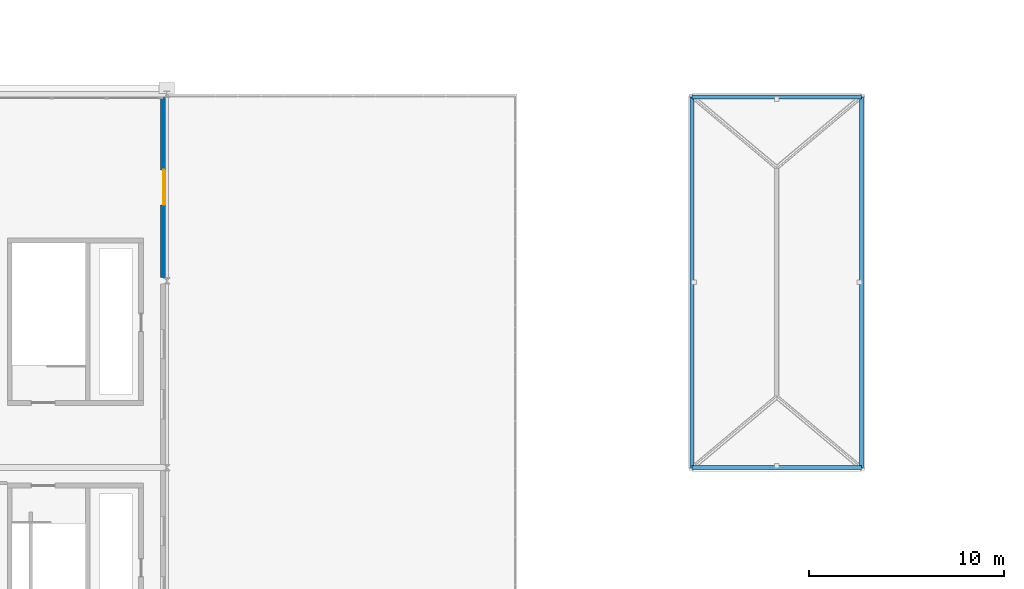
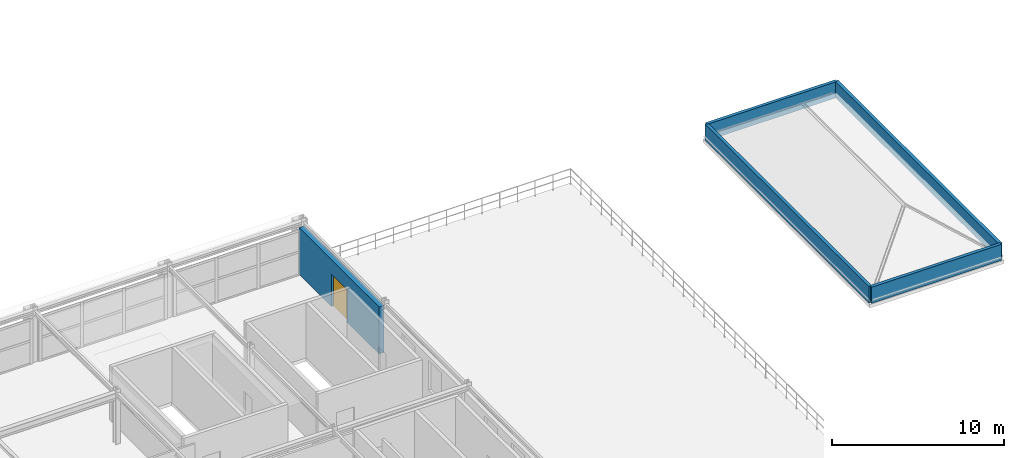
# One storey, part 36 of 52: 5 walls, 1 door, 1 opening.
"""IFC4 building model written with IfcOpenShell, lengths in metres."""

from ifc_helpers import new_model, si_unit, direction, frame, frame_2d, origin, place, context, subcontext, project, spatial, rectangle, extrude, material, layer, layer_set, type_object, element, fill, save


model = new_model("IFC4")

# Units and contexts
model_context = context("Model", 3, precision=1e-05, world=origin(), true_north=direction((0.0, 1.0)))
body_context = subcontext(model_context, "Body", "Model", "MODEL_VIEW")
ifc_project = project(units=[si_unit("LENGTHUNIT", "METRE"), si_unit("AREAUNIT", "SQUARE_METRE"), si_unit("VOLUMEUNIT", "CUBIC_METRE"), si_unit("PLANEANGLEUNIT", "RADIAN"), si_unit("MASSUNIT", "GRAM", prefix="KILO")], contexts=[model_context])

# Site, building, storey
site_placement = place(None, origin())
site = spatial("IfcSite", under=ifc_project, at=site_placement, CompositionType="ELEMENT")
building_placement = place(site_placement, origin())
building = spatial("IfcBuilding", under=site, at=building_placement, Name="Myrtia Square Station", CompositionType="ELEMENT")
storey_placement = place(building_placement, frame((0.0, 0.0, 15.0)))
storey = spatial("IfcBuildingStorey", under=building, at=storey_placement, Name="L03", CompositionType="ELEMENT", Elevation=15.0)

# Wall, opening, door
ifc_material_1 = material(Name="Cream lime stucco on clay brick masonry", Category="masonry")
ifc_layer_1 = layer(ifc_material_1, 0.340087890625, Name="Cream lime stucco on clay brick masonry")
ifc_layer_set_1 = layer_set([ifc_layer_1], Name="Cream lime stucco on clay brick masonry")
wall_type_1 = type_object("IfcWallType", Name="WL-EXT-STUCCO-340", PredefinedType="SOLIDWALL", material=ifc_layer_set_1)
wall_1_placement = place(storey_placement, frame((143.85009765625, 28.9599609375, 0.0), z_axis=(0.0, 0.0, 1.0), x_axis=(0.0, 1.0, 0.0)))
wall_1 = element("IfcWall", 1, at=wall_1_placement, inside=storey, type_object=wall_type_1, Name="Exterior envelope wall EW-L03-0081", PredefinedType="SOLIDWALL", context=body_context, shape_type="SweptSolid", body=[
    extrude(rectangle(XDim=9.280029296875, YDim=0.340087890625, at=frame_2d((4.64013671875, 0.0))), origin(), (0.0, 0.0, 1.0), 3.3349609375),
])
opening_placement = place(wall_1_placement, frame((3.739990234375, 0.0, 0.0)))
opening = element("IfcOpeningElement", 2, at=opening_placement, cuts=wall_1, Name="Opening ED-033", PredefinedType="OPENING", context=body_context, shape_type="SweptSolid", body=[
    extrude(rectangle(XDim=1.800048828125, YDim=2.300048828125, at=frame_2d((0.89990234375, 1.14990234375))), frame((0.0, 0.18505859375, 0.0), z_axis=(0.0, -1.0, 0.0), x_axis=(1.0, 0.0, 0.0)), (0.0, 0.0, 1.0), 0.3701171875),
])
ifc_material_2 = material(Name="Dark bronze anodised aluminium", Category="aluminium")
door_type = type_object("IfcDoorType", Name="DR-TER-1800x2300", OperationType="NOTDEFINED", PredefinedType="DOOR", material=ifc_material_2)
door_placement = place(opening_placement, frame((1.800048828125, 0.0, 0.0), z_axis=(0.0, 0.0, 1.0), x_axis=(-1.0, 0.0, 0.0)))
door = element("IfcDoor", 3, at=door_placement, inside=storey, type_object=door_type, Name="Upper terrace door ED-033", OperationType="DOUBLE_DOOR_SINGLE_SWING", OverallHeight=2.300048828125, OverallWidth=1.800048828125, PredefinedType="DOOR", context=body_context, shape_type="SweptSolid", body=[
    extrude(rectangle(XDim=1.800048828125, YDim=2.300048828125, at=frame_2d((0.89990234375, 1.14990234375))), frame((0.0, 0.02490234375, 0.0), z_axis=(0.0, -1.0, 0.0), x_axis=(1.0, 0.0, 0.0)), (0.0, 0.0, 1.0), 0.050048828125),
])
fill(opening, door)

# Walls
ifc_layer_2 = layer(ifc_material_1, 0.2099609375, Name="Cream lime stucco on clay brick masonry")
ifc_layer_set_2 = layer_set([ifc_layer_2], Name="Cream lime stucco on clay brick masonry")
wall_type_2 = type_object("IfcWallType", Name="WL-PAR-STUCCO-210", PredefinedType="PARAPET", material=ifc_layer_set_2)
wall_2_placement = place(storey_placement, frame((171.0, 19.199951171875, 0.0), z_axis=(0.0, 0.0, 1.0), x_axis=(1.0, 0.0, 0.0)))
element("IfcWall", 4, at=wall_2_placement, inside=storey, type_object=wall_type_2, Name="Spanish Mission roof parapet 033", PredefinedType="PARAPET", context=body_context, shape_type="SweptSolid", body=[
    extrude(rectangle(XDim=8.699951171875, YDim=0.2099609375, at=frame_2d((4.35009765625, 0.0))), origin(), (0.0, 0.0, 1.0), 1.14990234375),
])
wall_3_placement = place(storey_placement, frame((179.699951171875, 19.199951171875, 0.0), z_axis=(0.0, 0.0, 1.0), x_axis=(0.0, 1.0, 0.0)))
element("IfcWall", 5, at=wall_3_placement, inside=storey, type_object=wall_type_2, Name="Spanish Mission roof parapet 034", PredefinedType="PARAPET", context=body_context, shape_type="SweptSolid", body=[
    extrude(rectangle(XDim=19.050048828125, YDim=0.2099609375, at=frame_2d((9.52490234375, 0.0))), origin(), (0.0, 0.0, 1.0), 1.14990234375),
])
wall_4_placement = place(storey_placement, frame((179.699951171875, 38.25, 0.0), z_axis=(0.0, 0.0, 1.0), x_axis=(-1.0, 0.0, 0.0)))
element("IfcWall", 6, at=wall_4_placement, inside=storey, type_object=wall_type_2, Name="Spanish Mission roof parapet 035", PredefinedType="PARAPET", context=body_context, shape_type="SweptSolid", body=[
    extrude(rectangle(XDim=8.699951171875, YDim=0.2099609375, at=frame_2d((4.35009765625, 0.0))), origin(), (0.0, 0.0, 1.0), 1.14990234375),
])
wall_5_placement = place(storey_placement, frame((171.0, 38.25, 0.0), z_axis=(0.0, 0.0, 1.0), x_axis=(0.0, -1.0, 0.0)))
element("IfcWall", 7, at=wall_5_placement, inside=storey, type_object=wall_type_2, Name="Spanish Mission roof parapet 036", PredefinedType="PARAPET", context=body_context, shape_type="SweptSolid", body=[
    extrude(rectangle(XDim=19.050048828125, YDim=0.2099609375, at=frame_2d((9.52490234375, 0.0))), origin(), (0.0, 0.0, 1.0), 1.14990234375),
])

save(model, "model.ifc")
